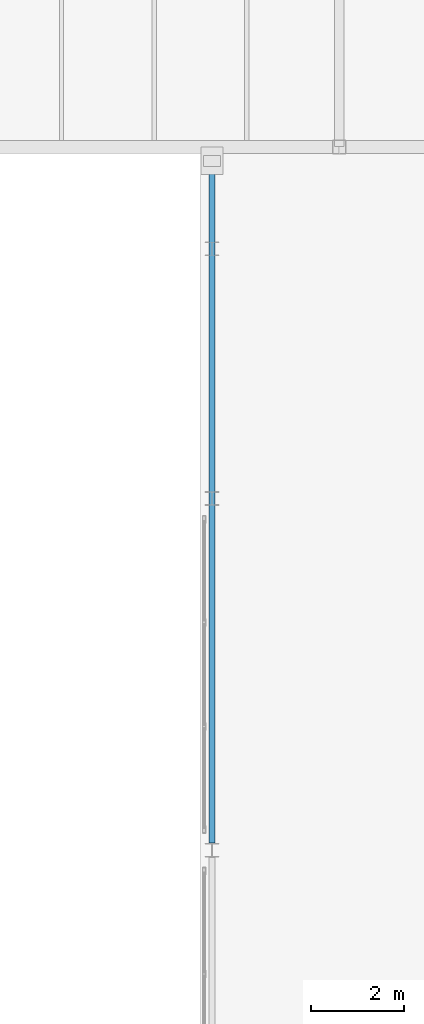
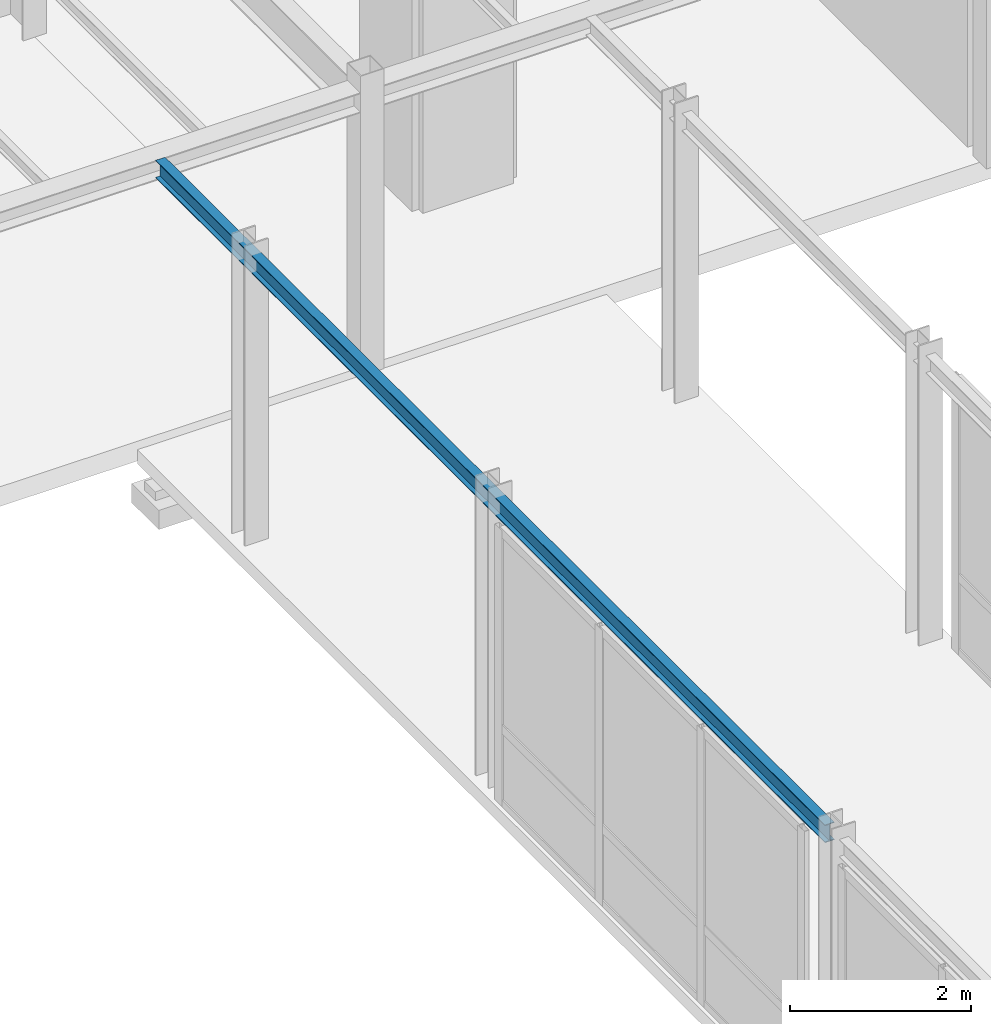
# One storey, part 110 of 165: 1 beam.
"""IFC4 building model written with IfcOpenShell, lengths in metres."""

from ifc_helpers import new_model, si_unit, direction, frame, origin, origin_2d, place, context, subcontext, project, spatial, i_section, extrude, material, material_profile, profile_set, type_object, element, save


model = new_model("IFC4")

# Units and contexts
model_context = context("Model", 3, precision=1e-05, world=origin(), true_north=direction((0.0, 1.0)))
body_context = subcontext(model_context, "Body", "Model", "MODEL_VIEW")
ifc_project = project(units=[si_unit("LENGTHUNIT", "METRE"), si_unit("AREAUNIT", "SQUARE_METRE"), si_unit("VOLUMEUNIT", "CUBIC_METRE"), si_unit("PLANEANGLEUNIT", "RADIAN"), si_unit("MASSUNIT", "GRAM", prefix="KILO")], contexts=[model_context])

# Site, building, storey
site_placement = place(None, origin())
site = spatial("IfcSite", under=ifc_project, at=site_placement, CompositionType="ELEMENT")
building_placement = place(site_placement, origin())
building = spatial("IfcBuilding", under=site, at=building_placement, Name="Montecoro Central Library", CompositionType="ELEMENT")
storey_placement = place(building_placement, frame((0.0, 0.0, 5.10009765625)))
storey = spatial("IfcBuildingStorey", under=building, at=storey_placement, Name="L01", CompositionType="ELEMENT", Elevation=5.10009765625)

# Beam
ifc_material = material(Name="Steel S355", Category="steel")
ifc_material_profile = material_profile(ifc_material, i_section(OverallWidth=0.1201171875, OverallDepth=0.239990234375, WebThickness=0.006103515625, FlangeThickness=0.009765625, at=origin_2d()), Name="IPE 240")
ifc_profile_set = profile_set([ifc_material_profile], Name="Steel S355")
beam_type = type_object("IfcBeamType", Name="BM-SP-IPE240", PredefinedType="SPANDREL", material=ifc_profile_set)
beam_placement = place(storey_placement, frame((154.25, 58.360107421875, 3.77490234375), z_axis=(0.0, 1.0, 0.0), x_axis=(-1.0, 0.0, 0.0)))
element("IfcBeam", 1, at=beam_placement, inside=storey, type_object=beam_type, Name="BR-E-L02-BM-W2", PredefinedType="SPANDREL", context=body_context, shape_type="SweptSolid", body=[
    extrude(i_section(OverallWidth=0.1201171875, OverallDepth=0.239990234375, WebThickness=0.006103515625, FlangeThickness=0.009765625, at=origin_2d()), origin(), (0.0, 0.0, 1.0), 14.81982421875),
])

save(model, "model.ifc")
